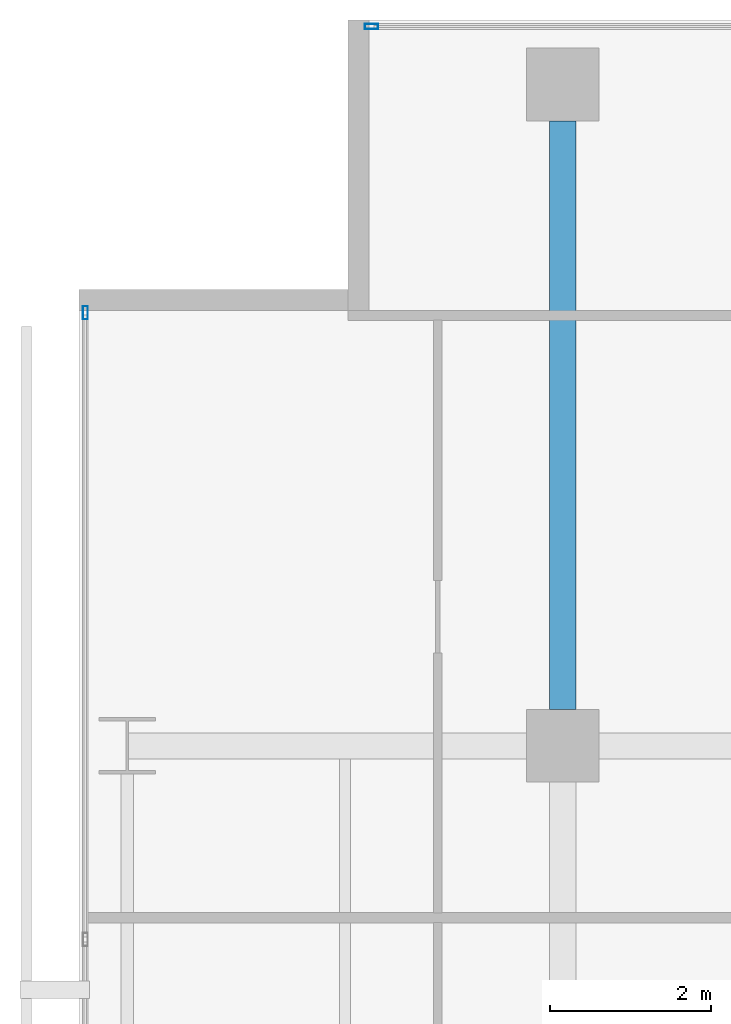
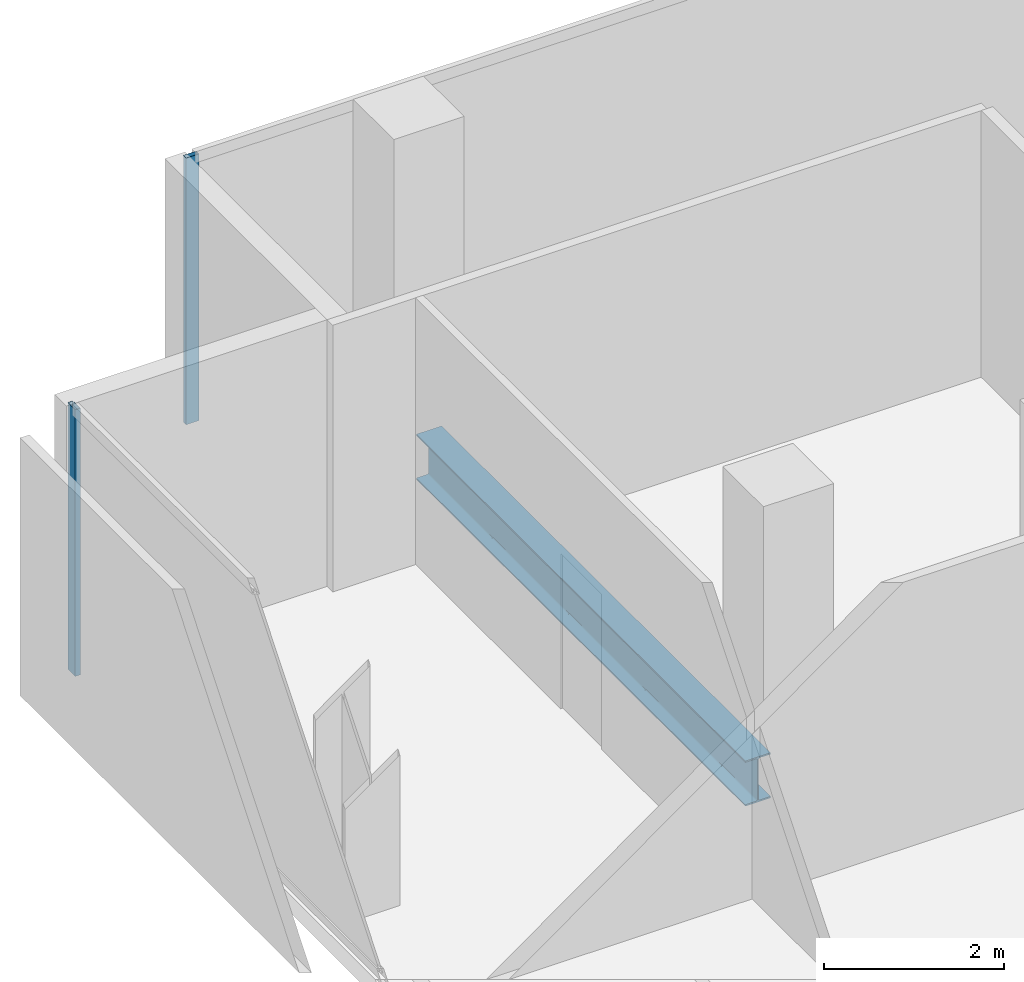
# One storey, part 25 of 40: 2 members, 1 beam, 2 elements without a shape of their own.
"""IFC4 building model written with IfcOpenShell, lengths in metres."""

from ifc_helpers import new_model, si_unit, direction, frame, origin, origin_2d, place, context, subcontext, project, spatial, hollow_rectangle, i_section, extrude, material, layer, layer_set, material_profile, profile_set, type_object, element, aggregate, save


model = new_model("IFC4")

# Units and contexts
model_context = context("Model", 3, precision=1e-05, world=origin(), true_north=direction((0.0, 1.0)))
body_context = subcontext(model_context, "Body", "Model", "MODEL_VIEW")
ifc_project = project(units=[si_unit("LENGTHUNIT", "METRE"), si_unit("AREAUNIT", "SQUARE_METRE"), si_unit("VOLUMEUNIT", "CUBIC_METRE"), si_unit("PLANEANGLEUNIT", "RADIAN"), si_unit("MASSUNIT", "GRAM", prefix="KILO")], contexts=[model_context])

# Site, building, storey
site_placement = place(None, origin())
site = spatial("IfcSite", under=ifc_project, at=site_placement, CompositionType="ELEMENT")
building_placement = place(site_placement, origin())
building = spatial("IfcBuilding", under=site, at=building_placement, Name="Maruvema Waterfront Hotel and Observation Tower", CompositionType="ELEMENT")
storey_placement = place(building_placement, frame((0.0, 0.0, 100.10009765625)))
storey = spatial("IfcBuildingStorey", under=building, at=storey_placement, Name="L24", CompositionType="ELEMENT", Elevation=100.10009765625)

# Curtain wall, member
ifc_material_1 = material(Name="Anodised bronze aluminium and solar-control low-E IGU", Category="aluminium")
ifc_layer = layer(ifc_material_1, 0.159912109375, Name="Zone 1 Bronze Inner Thermal Curtain Wall System CW-02")
ifc_layer_set = layer_set([ifc_layer], Name="Anodised bronze aluminium and solar-control low-E IGU")
curtain_wall_type = type_object("IfcCurtainWallType", Name="Zone 1 Bronze Inner Thermal Curtain Wall System CW-02", PredefinedType="USERDEFINED", material=ifc_layer_set)
curtain_wall_1_placement = place(storey_placement, origin())
curtain_wall_1 = element("IfcCurtainWall", 1, at=curtain_wall_1_placement, inside=storey, type_object=curtain_wall_type, Name="L24 Curtain Wall CW-L24-W", ObjectType="UNITISED CURTAIN WALL", PredefinedType="USERDEFINED")
ifc_material_2 = material(Name="Anodised architectural bronze aluminium", Category="aluminium")
ifc_material_profile_1 = material_profile(ifc_material_2, hollow_rectangle(XDim=0.06494140625, YDim=0.1650390625, WallThickness=0.00390625, at=origin_2d()), Name="ALU-M65x165")
ifc_profile_set_1 = profile_set([ifc_material_profile_1], Name="Anodised architectural bronze aluminium")
member_type = type_object("IfcMemberType", Name="Curtain Wall Primary Mullion ALU-M65x165", PredefinedType="MULLION", material=ifc_profile_set_1)
member_1_placement = place(storey_placement, frame((10.8798828125, 50.3701171875, 0.0), z_axis=(0.0, 0.0, 1.0), x_axis=(1.0, 0.0, 0.0)))
member_1 = element("IfcMember", 2, at=member_1_placement, type_object=member_type, Name="CW-02 mullion 1", PredefinedType="MULLION", context=body_context, shape_type="SweptSolid", body=[
    extrude(hollow_rectangle(XDim=0.06494140625, YDim=0.1650390625, WallThickness=0.00390625, at=origin_2d()), origin(), (0.0, 0.0, 1.0), 3.60986328125),
])
aggregate(curtain_wall_1, [member_1])

curtain_wall_2_placement = place(storey_placement, origin())
curtain_wall_2 = element("IfcCurtainWall", 3, at=curtain_wall_2_placement, inside=storey, type_object=curtain_wall_type, Name="L24 Curtain Wall CW-L24-NW", ObjectType="UNITISED CURTAIN WALL", PredefinedType="USERDEFINED")
member_2_placement = place(storey_placement, frame((14.429931640625, 53.919921875, 0.0), z_axis=(0.0, 0.0, 1.0), x_axis=(0.0, -1.0, 0.0)))
member_2 = element("IfcMember", 4, at=member_2_placement, type_object=member_type, Name="CW-02 mullion 2", PredefinedType="MULLION", context=body_context, shape_type="SweptSolid", body=[
    extrude(hollow_rectangle(XDim=0.06494140625, YDim=0.1650390625, WallThickness=0.00390625, at=origin_2d()), origin(), (0.0, 0.0, 1.0), 3.60986328125),
])
aggregate(curtain_wall_2, [member_2])

# Beam
ifc_material_3 = material(Name="Steel ASTM A572 Grade 50", Category="steel")
ifc_material_profile_2 = material_profile(ifc_material_3, i_section(OverallWidth=0.323974609375, OverallDepth=0.611083984375, WebThickness=0.0126953125, FlangeThickness=0.01904296875, FilletRadius=0.01806640625, at=origin_2d()), Name="W610x155.0")
ifc_profile_set_2 = profile_set([ifc_material_profile_2], Name="Steel ASTM A572 Grade 50")
beam_type = type_object("IfcBeamType", Name="Primary Floor Girder W610x155.0", PredefinedType="BEAM", material=ifc_profile_set_2)
beam_placement = place(storey_placement, frame((16.800048828125, 45.449951171875, -0.545654296875), z_axis=(0.0, 1.0, 0.0), x_axis=(-1.0, 0.0, 0.0)))
element("IfcBeam", 5, at=beam_placement, inside=storey, type_object=beam_type, Name="L24 Floor Girder NS-10", PredefinedType="BEAM", context=body_context, shape_type="SweptSolid", body=[
    extrude(i_section(OverallWidth=0.323974609375, OverallDepth=0.611083984375, WebThickness=0.0126953125, FlangeThickness=0.01904296875, FilletRadius=0.01806640625, at=origin_2d()), origin(), (0.0, 0.0, 1.0), 7.300048828125),
])

save(model, "model.ifc")
